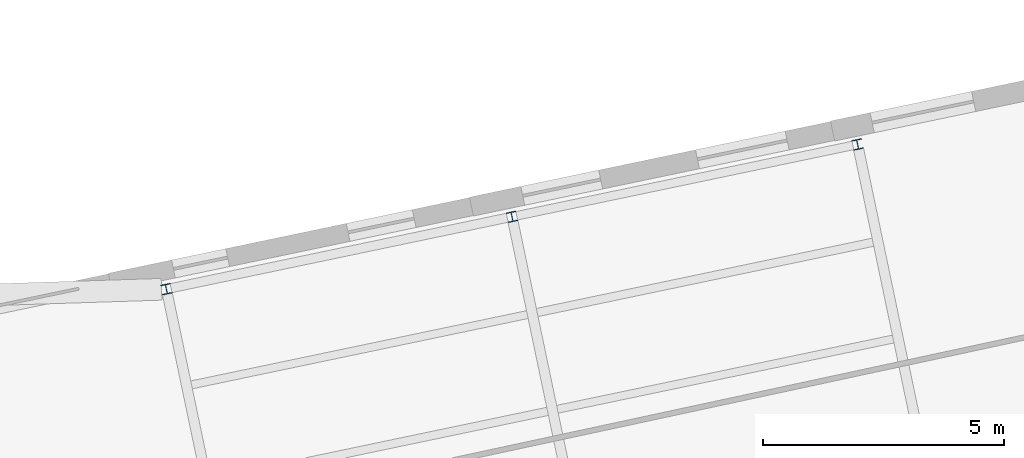
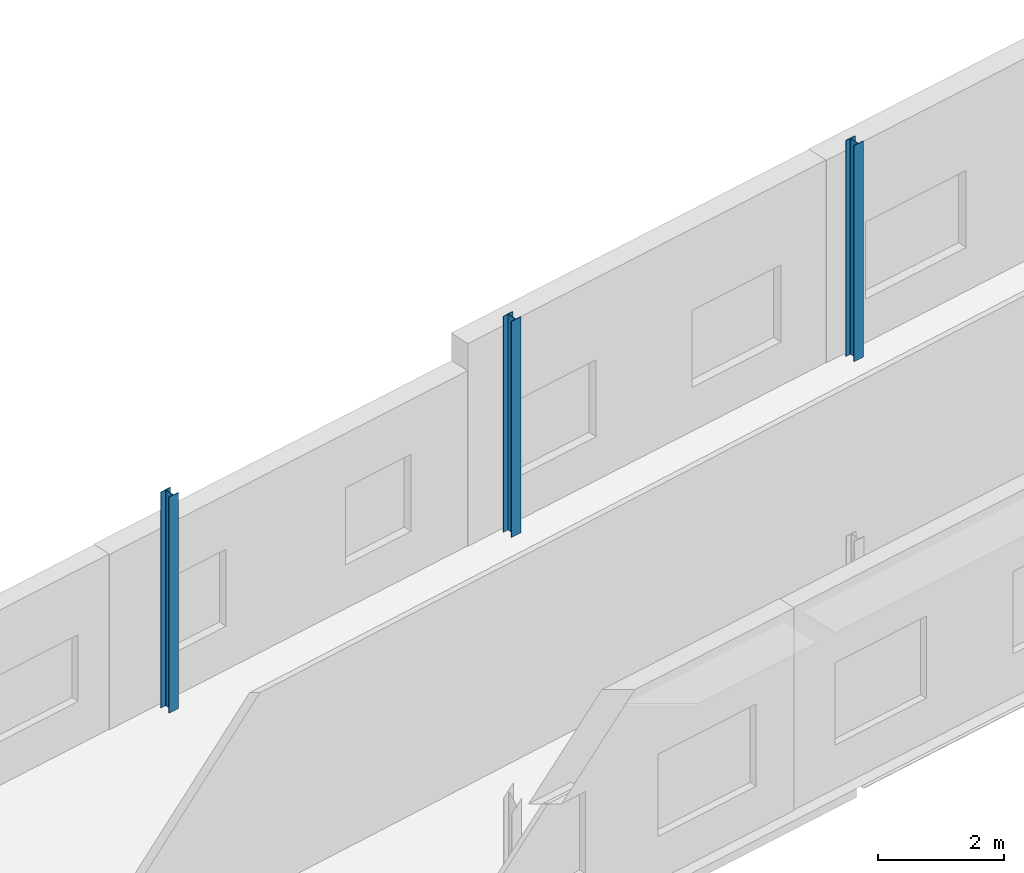
# One storey, part 10 of 90: 3 columns.
"""IFC4 building model written with IfcOpenShell, lengths in metres."""

import ifcopenshell
import ifcopenshell.guid

model = None  # the IFC model being written
_history = None  # IfcOwnerHistory: only IFC2X3 demands one
_inside = {}  # id of a spatial element -> (the spatial element, [elements in it])
_under = {}  # id of a project, library or spatial element -> (it, [spatial elements below it])
_declared = {}  # id of a project -> (the project, [libraries it declares])
_typed = {}  # id of a type object -> (the type object, [elements of that type])
_made_of = {}  # id of a material, layer set ... -> (it, [elements and type objects made of it])


def new_model(schema):
    """Start an empty IFC model of exactly this schema.

    Asked for "IFC4X3", IfcOpenShell would pick the latest addendum, in which some entities
    have other attributes; the version numbers below select the first issue.
    IFC2X3 requires an IfcOwnerHistory on every rooted entity: one is made here for all.
    """
    global model, _history
    if schema == "IFC4X3":
        model = ifcopenshell.file(schema_version=(4, 3, 0, 0))
    else:
        model = ifcopenshell.file(schema=schema)
    _inside.clear()
    _under.clear()
    _declared.clear()
    _typed.clear()
    _made_of.clear()
    _history = None
    if model.schema == "IFC2X3":
        org = make("IfcOrganization", Name="unknown")
        user = make(
            "IfcPersonAndOrganization",
            ThePerson=make("IfcPerson", FamilyName="unknown"),
            TheOrganization=org,
        )
        app = make(
            "IfcApplication",
            ApplicationDeveloper=org,
            Version="unknown",
            ApplicationFullName="unknown",
            ApplicationIdentifier="unknown",
        )
        _history = make(
            "IfcOwnerHistory",
            OwningUser=user,
            OwningApplication=app,
            ChangeAction="ADDED",
            CreationDate=0,
        )
    return model


def make(cls, **values):
    """One entity of the class cls with the attributes given. An attribute that is None is left unset."""
    return model.create_entity(
        cls, **{name: value for name, value in values.items() if value is not None}
    )


def rooted(cls, **values):
    """An entity with a GlobalId (a new one), such as an element, a storey or a relation."""
    return make(cls, GlobalId=ifcopenshell.guid.new(), OwnerHistory=_history, **values)


def si_unit(unit_type, name, prefix=None):
    """IfcSIUnit, for example si_unit("LENGTHUNIT", "METRE", prefix="MILLI")."""
    return make("IfcSIUnit", UnitType=unit_type, Prefix=prefix, Name=name)


def assignment(units):
    """IfcUnitAssignment: the units of a project."""
    return None if units is None else make("IfcUnitAssignment", Units=units)


def point(xyz):
    """IfcCartesianPoint."""
    return None if xyz is None else make("IfcCartesianPoint", Coordinates=xyz)


def direction(xyz):
    """IfcDirection."""
    return None if xyz is None else make("IfcDirection", DirectionRatios=xyz)


def frame(location, z_axis=None, x_axis=None):
    """IfcAxis2Placement3D, a coordinate frame: its origin and axes. An axis left out is left unset."""
    return make(
        "IfcAxis2Placement3D",
        Location=point(location),
        Axis=direction(z_axis),
        RefDirection=direction(x_axis),
    )


def frame_2d(location, x_axis=None):
    """IfcAxis2Placement2D, a coordinate frame in the plane: its origin and x axis."""
    return make(
        "IfcAxis2Placement2D", Location=point(location), RefDirection=direction(x_axis)
    )


def origin():
    """The frame at (0, 0, 0) with its axes left unset."""
    return frame((0.0, 0.0, 0.0))


def origin_2d():
    """The frame at (0, 0) in the plane with its x axis left unset."""
    return frame_2d((0.0, 0.0))


def place(relative_to, where):
    """IfcLocalPlacement: puts the frame where relative to a parent placement (None: the world)."""
    return make(
        "IfcLocalPlacement", PlacementRelTo=relative_to, RelativePlacement=where
    )


def context(
    kind, dimensions, precision=None, world=None, true_north=None, identifier=None
):
    """IfcGeometricRepresentationContext, for example the 3D "Model" context."""
    return make(
        "IfcGeometricRepresentationContext",
        ContextIdentifier=identifier,
        ContextType=kind,
        CoordinateSpaceDimension=dimensions,
        Precision=precision,
        WorldCoordinateSystem=world,
        TrueNorth=true_north,
    )


def subcontext(parent, identifier, kind, view, scale=None):
    """IfcGeometricRepresentationSubContext, for example "Body" below "Model"."""
    return make(
        "IfcGeometricRepresentationSubContext",
        ContextIdentifier=identifier,
        ContextType=kind,
        ParentContext=parent,
        TargetScale=scale,
        TargetView=view,
    )


def project(units=None, contexts=None):
    """IfcProject with its units and contexts."""
    return rooted(
        "IfcProject",
        Name="project",
        RepresentationContexts=contexts,
        UnitsInContext=assignment(units),
    )


def spatial(cls, under=None, at=None, **own):
    """A site, building, storey or space (cls), placed at a placement, below another one or the project."""
    s = rooted(cls, ObjectPlacement=at, **own)
    if under is not None:
        _under.setdefault(under.id(), (under, []))[1].append(s)
    return s


def profile(cls, at=None, kind="AREA", **sizes):
    """A parametric profile (cls). Its sizes go by their IFC names, for example OverallWidth=200.0."""
    return make(cls, ProfileType=kind, Position=at, **sizes)


def i_section(**sizes):
    """IfcIShapeProfileDef."""
    return profile("IfcIShapeProfileDef", **sizes)


def extrude(swept, where, along, depth):
    """IfcExtrudedAreaSolid: the profile swept, set in the frame where, extruded along a direction by depth."""
    return make(
        "IfcExtrudedAreaSolid",
        SweptArea=swept,
        Position=where,
        ExtrudedDirection=direction(along),
        Depth=depth,
    )


def shape(context_of_items, identifier, shape_type, items):
    """IfcShapeRepresentation: the items that make up one representation, for example the "Body"."""
    return make(
        "IfcShapeRepresentation",
        ContextOfItems=context_of_items,
        RepresentationIdentifier=identifier,
        RepresentationType=shape_type,
        Items=items,
    )


def material(Name=None, Category=None):
    """IfcMaterial."""
    return make("IfcMaterial", Name=Name, Category=Category)


def material_profile(
    of_material, cross_section, Name=None, Category=None, Priority=None
):
    """IfcMaterialProfile: a cross section and its material."""
    return make(
        "IfcMaterialProfile",
        Name=Name,
        Material=of_material,
        Profile=cross_section,
        Priority=Priority,
        Category=Category,
    )


def profile_set(profiles, Name=None, composite=None):
    """IfcMaterialProfileSet."""
    return make(
        "IfcMaterialProfileSet",
        Name=Name,
        MaterialProfiles=profiles,
        CompositeProfile=composite,
    )


def made_of(thing, what):
    """Note that an element or type object is made of a material, layer set ...; save() writes the relation."""
    if what is not None:
        _made_of.setdefault(what.id(), (what, []))[1].append(thing)
    return thing


def type_object(cls, material=None, **own):
    """A type object (cls), such as IfcWallType, which elements share."""
    return made_of(rooted(cls, **own), material)


def element(
    cls,
    number,
    at=None,
    inside=None,
    cuts=None,
    type_object=None,
    material=None,
    context=None,
    identifier="Body",
    shape_type=None,
    held_by="IfcProductDefinitionShape",
    body=None,
    shapes=None,
    **own,
):
    """One element of the class cls, such as IfcWall. Its Tag is "e" and its number.

    at: its placement. inside: the storey or other place that contains it. cuts: it is an
    opening in that element (IfcRelVoidsElement). A single representation is given by context,
    identifier, shape_type and body (its items); several are given by shapes. held_by: the class
    of the entity that holds the representations. save() writes the other relations.
    """
    e = rooted(cls, Tag="e%d" % number, ObjectPlacement=at, **own)
    if body is not None:
        shapes = [shape(context, identifier, shape_type, body)]
    if shapes is not None:
        e.Representation = make(held_by, Representations=shapes)
    if inside is not None:
        _inside.setdefault(inside.id(), (inside, []))[1].append(e)
    if cuts is not None:
        rooted(
            "IfcRelVoidsElement", RelatingBuildingElement=cuts, RelatedOpeningElement=e
        )
    if type_object is not None:
        _typed.setdefault(type_object.id(), (type_object, []))[1].append(e)
    return made_of(e, material)


def aggregate(whole, parts):
    """IfcRelAggregates: a whole, such as a stair, and the parts it consists of."""
    return rooted("IfcRelAggregates", RelatingObject=whole, RelatedObjects=parts)


def save(model, path):
    """Write the relations noted so far, then the file.

    IfcRelAggregates (storeys below a building ...), IfcRelContainedInSpatialStructure (elements
    in a storey), IfcRelDefinesByType, IfcRelAssociatesMaterial and IfcRelDeclares: one each for
    every whole, place, type object, material and project.
    """
    for whole, parts in _under.values():
        aggregate(whole, parts)
    for where, things in _inside.values():
        rooted(
            "IfcRelContainedInSpatialStructure",
            RelatedElements=things,
            RelatingStructure=where,
        )
    for kind, things in _typed.values():
        rooted("IfcRelDefinesByType", RelatedObjects=things, RelatingType=kind)
    for what, things in _made_of.values():
        rooted("IfcRelAssociatesMaterial", RelatedObjects=things, RelatingMaterial=what)
    for by, libraries in _declared.values():
        rooted("IfcRelDeclares", RelatingContext=by, RelatedDefinitions=libraries)
    model.write(path)


model = new_model("IFC4")

# Units and contexts
model_context = context("Model", 3, precision=1e-05, world=origin(), true_north=direction((0.0, 1.0)))
body_context = subcontext(model_context, "Body", "Model", "MODEL_VIEW")
ifc_project = project(units=[si_unit("LENGTHUNIT", "METRE"), si_unit("AREAUNIT", "SQUARE_METRE"), si_unit("VOLUMEUNIT", "CUBIC_METRE"), si_unit("PLANEANGLEUNIT", "RADIAN"), si_unit("MASSUNIT", "GRAM", prefix="KILO")], contexts=[model_context])

# Site, building, storey
site_placement = place(None, origin())
site = spatial("IfcSite", under=ifc_project, at=site_placement, CompositionType="ELEMENT")
building_placement = place(site_placement, origin())
building = spatial("IfcBuilding", under=site, at=building_placement, Name="Wrenclough Park School", CompositionType="ELEMENT")
storey_placement = place(building_placement, frame((0.0, 0.0, 8.39990234375)))
storey = spatial("IfcBuildingStorey", under=building, at=storey_placement, Name="L02", CompositionType="ELEMENT", Elevation=8.39990234375)

# Columns
ifc_material = material(Name="Structural steel S355", Category="steel")
ifc_material_profile = material_profile(ifc_material, i_section(OverallWidth=0.20361328125, OverallDepth=0.203125, WebThickness=0.007080078125, FlangeThickness=0.010986328125, FilletRadius=0.01025390625, at=origin_2d()), Name="UKC 203x203x46")
ifc_profile_set = profile_set([ifc_material_profile], Name="Structural steel S355")
column_type = type_object("IfcColumnType", Name="STR-COL-UKC203A", PredefinedType="COLUMN", material=ifc_profile_set)
for number, where, z_axis, x_axis, name in (
    (1, (103.66015625, 117.012939453125, 0.0), (0.0, 0.0, 1.0), (0.978795946539, 0.204837728554, 0.0), "W45 L02 column W45-C1-L03"),
    (2, (110.82666015625, 118.512939453125, 0.0), (0.0, 0.0, 1.0), (0.978795946539, 0.204837728554, 0.0), "W45 L02 column W45-C1-L04"),
    (3, (117.993408203125, 120.012939453125, 0.0), (0.0, 0.0, 1.0), (0.978795946539, 0.204837728554, 0.0), "W45 L02 column W45-C1-L05"),
):
    element("IfcColumn", number, at=place(storey_placement, frame(where, z_axis=z_axis, x_axis=x_axis)), inside=storey, type_object=column_type, Name=name, PredefinedType="COLUMN", context=body_context, shape_type="SweptSolid", body=[
        extrude(i_section(OverallWidth=0.20361328125, OverallDepth=0.203125, WebThickness=0.007080078125, FlangeThickness=0.010986328125, FilletRadius=0.01025390625, at=origin_2d()), origin(), (0.0, 0.0, 1.0), 4.2001953125),
    ])

save(model, "model.ifc")
